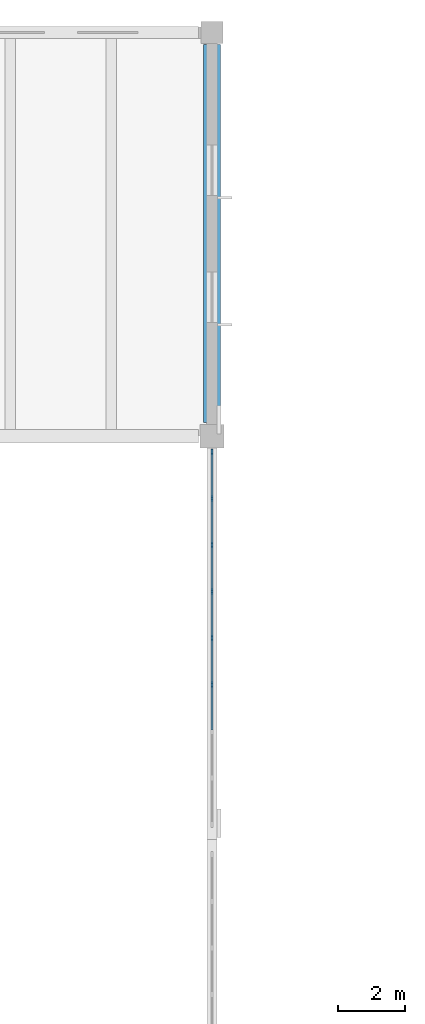
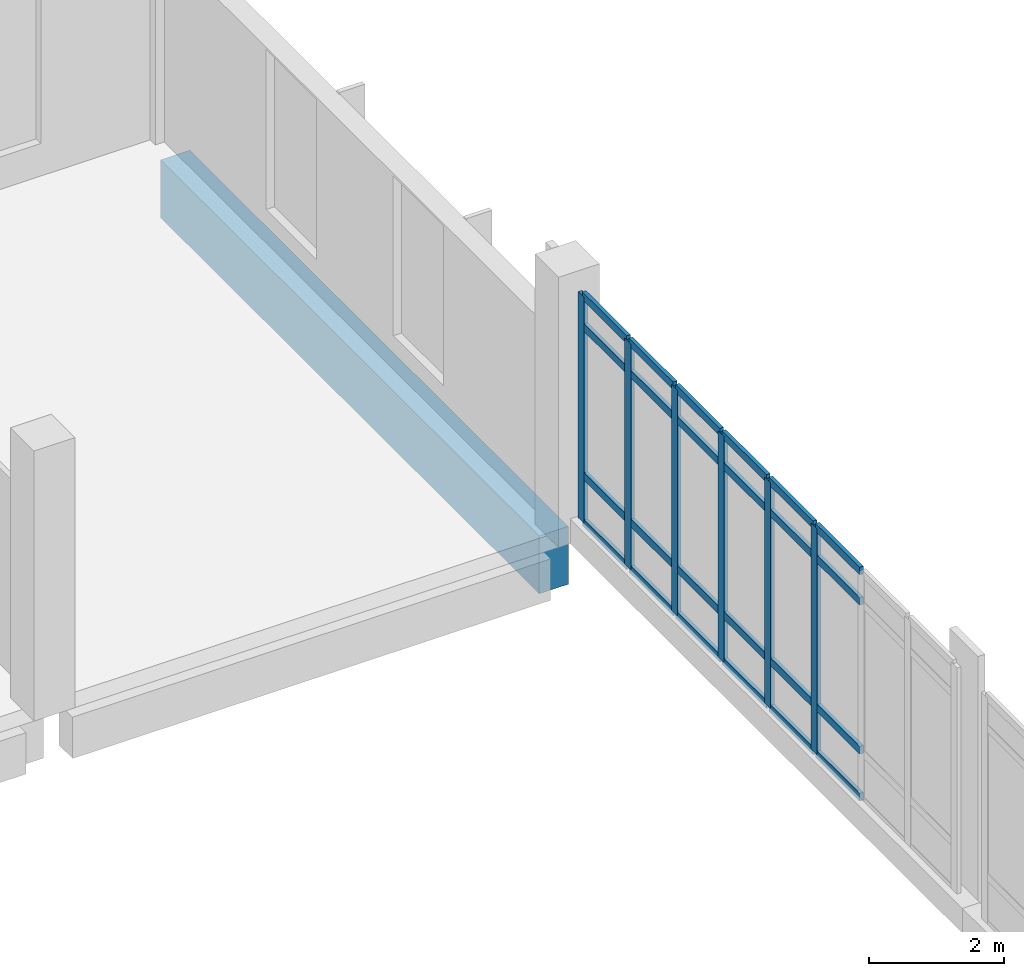
# One storey, part 54 of 110: 30 members, 1 beam, 1 element without a shape of its own.
"""IFC4 building model written with IfcOpenShell, lengths in metres."""

from ifc_helpers import new_model, si_unit, direction, frame, origin, origin_2d, place, context, subcontext, project, spatial, rectangle, extrude, material, layer, layer_set, material_profile, profile_set, type_object, element, aggregate, save


model = new_model("IFC4")

# Units and contexts
model_context = context("Model", 3, precision=1e-05, world=origin(), true_north=direction((0.0, 1.0)))
body_context = subcontext(model_context, "Body", "Model", "MODEL_VIEW")
ifc_project = project(units=[si_unit("LENGTHUNIT", "METRE"), si_unit("AREAUNIT", "SQUARE_METRE"), si_unit("VOLUMEUNIT", "CUBIC_METRE"), si_unit("PLANEANGLEUNIT", "RADIAN"), si_unit("MASSUNIT", "GRAM", prefix="KILO")], contexts=[model_context])

# Site, building, storey
site_placement = place(None, origin())
site = spatial("IfcSite", under=ifc_project, at=site_placement, CompositionType="ELEMENT")
building_placement = place(site_placement, origin())
building = spatial("IfcBuilding", under=site, at=building_placement, Name="Zacnel Wholesale Market", CompositionType="ELEMENT")
storey_placement = place(building_placement, frame((0.0, 0.0, 6.300048828125)))
storey = spatial("IfcBuildingStorey", under=building, at=storey_placement, Name="L02", CompositionType="ELEMENT", Elevation=6.300048828125)

# Beam
ifc_material_1 = material(Name="Precast concrete C45/55", Category="concrete")
ifc_material_profile_1 = material_profile(ifc_material_1, rectangle(XDim=0.5, YDim=1.050048828125, at=origin_2d()), Name="PG 500x1050")
ifc_profile_set_1 = profile_set([ifc_material_profile_1], Name="Precast concrete C45/55")
beam_type = type_object("IfcBeamType", Name="BM-PG1050", PredefinedType="T_BEAM", material=ifc_profile_set_1)
beam_placement = place(storey_placement, frame((189.0, 132.39990234375, -0.804931640625), z_axis=(0.0, 1.0, 0.0), x_axis=(-1.0, 0.0, 0.0)))
element("IfcBeam", 1, at=beam_placement, inside=storey, type_object=beam_type, Name="Precast girder Y-0523", PredefinedType="T_BEAM", context=body_context, shape_type="SweptSolid", body=[
    extrude(rectangle(XDim=0.5, YDim=1.050048828125, at=origin_2d()), origin(), (0.0, 0.0, 1.0), 11.25),
])

# Curtain wall, members
ifc_material_2 = material(Name="Anodised aluminium", Category="aluminium")
ifc_layer = layer(ifc_material_2, 0.159912109375)
ifc_layer_set = layer_set([ifc_layer], Name="Anodised aluminium")
curtain_wall_type = type_object("IfcCurtainWallType", Name="CW-NAVE-4200", PredefinedType="NOTDEFINED", material=ifc_layer_set)
curtain_wall_placement = place(storey_placement, origin())
curtain_wall = element("IfcCurtainWall", 2, at=curtain_wall_placement, inside=storey, type_object=curtain_wall_type, Name="Curtain wall ENV-R2-CW-L02-034", PredefinedType="NOTDEFINED")
ifc_material_3 = material(Name="Anodised aluminium", Category="aluminium")
ifc_material_profile_2 = material_profile(ifc_material_3, rectangle(XDim=0.06494140625, YDim=0.179931640625, at=origin_2d()), Name="AW-MULLION 65x180")
ifc_profile_set_2 = profile_set([ifc_material_profile_2], Name="Anodised aluminium")
member_type_1 = type_object("IfcMemberType", Name="CWM-MUL-03", PredefinedType="MULLION", material=ifc_profile_set_2)
member_1_placement = place(storey_placement, frame((189.0, 124.60498046875, 0.449951171875), z_axis=(0.0, 0.0, 1.0), x_axis=(1.0, 0.0, 0.0)))
member_1 = element("IfcMember", 3, at=member_1_placement, type_object=member_type_1, Name="ENV-R2-CW-L02-034 mullion 04", PredefinedType="MULLION", context=body_context, shape_type="SweptSolid", body=[
    extrude(rectangle(XDim=0.06494140625, YDim=0.179931640625, at=origin_2d()), origin(), (0.0, 0.0, 1.0), 4.10009765625),
])
member_2_placement = place(storey_placement, frame((189.0, 125.989990234375, 0.449951171875), z_axis=(0.0, 0.0, 1.0), x_axis=(1.0, 0.0, 0.0)))
member_2 = element("IfcMember", 4, at=member_2_placement, type_object=member_type_1, Name="ENV-R2-CW-L02-034 mullion 05", PredefinedType="MULLION", context=body_context, shape_type="SweptSolid", body=[
    extrude(rectangle(XDim=0.06494140625, YDim=0.179931640625, at=origin_2d()), origin(), (0.0, 0.0, 1.0), 4.10009765625),
])
member_3_placement = place(storey_placement, frame((189.0, 127.375, 0.449951171875), z_axis=(0.0, 0.0, 1.0), x_axis=(1.0, 0.0, 0.0)))
member_3 = element("IfcMember", 5, at=member_3_placement, type_object=member_type_1, Name="ENV-R2-CW-L02-034 mullion 06", PredefinedType="MULLION", context=body_context, shape_type="SweptSolid", body=[
    extrude(rectangle(XDim=0.06494140625, YDim=0.179931640625, at=origin_2d()), origin(), (0.0, 0.0, 1.0), 4.10009765625),
])
member_4_placement = place(storey_placement, frame((189.0, 128.760009765625, 0.449951171875), z_axis=(0.0, 0.0, 1.0), x_axis=(1.0, 0.0, 0.0)))
member_4 = element("IfcMember", 6, at=member_4_placement, type_object=member_type_1, Name="ENV-R2-CW-L02-034 mullion 07", PredefinedType="MULLION", context=body_context, shape_type="SweptSolid", body=[
    extrude(rectangle(XDim=0.06494140625, YDim=0.179931640625, at=origin_2d()), origin(), (0.0, 0.0, 1.0), 4.10009765625),
])
member_5_placement = place(storey_placement, frame((189.0, 130.14501953125, 0.449951171875), z_axis=(0.0, 0.0, 1.0), x_axis=(1.0, 0.0, 0.0)))
member_5 = element("IfcMember", 7, at=member_5_placement, type_object=member_type_1, Name="ENV-R2-CW-L02-034 mullion 08", PredefinedType="MULLION", context=body_context, shape_type="SweptSolid", body=[
    extrude(rectangle(XDim=0.06494140625, YDim=0.179931640625, at=origin_2d()), origin(), (0.0, 0.0, 1.0), 4.10009765625),
])
member_6_placement = place(storey_placement, frame((189.0, 131.530029296875, 0.449951171875), z_axis=(0.0, 0.0, 1.0), x_axis=(1.0, 0.0, 0.0)))
member_6 = element("IfcMember", 8, at=member_6_placement, type_object=member_type_1, Name="ENV-R2-CW-L02-034 mullion 09", PredefinedType="MULLION", context=body_context, shape_type="SweptSolid", body=[
    extrude(rectangle(XDim=0.06494140625, YDim=0.179931640625, at=origin_2d()), origin(), (0.0, 0.0, 1.0), 4.10009765625),
])
ifc_material_4 = material(Name="Anodised aluminium", Category="aluminium")
ifc_material_profile_3 = material_profile(ifc_material_4, rectangle(XDim=0.06494140625, YDim=0.139892578125, at=origin_2d()), Name="AW-TRANSOM 65x140")
ifc_profile_set_3 = profile_set([ifc_material_profile_3], Name="Anodised aluminium")
member_type_2 = type_object("IfcMemberType", Name="CWM-TRN-03", PredefinedType="USERDEFINED", material=ifc_profile_set_3)
member_7_placement = place(storey_placement, frame((189.0, 123.2548828125, 0.449951171875), z_axis=(0.0, 1.0, 0.0), x_axis=(-1.0, 0.0, 0.0)))
member_7 = element("IfcMember", 9, at=member_7_placement, type_object=member_type_2, Name="ENV-R2-CW-L02-034 transom 3-1", ObjectType="TRANSOM", PredefinedType="USERDEFINED", context=body_context, shape_type="SweptSolid", body=[
    extrude(rectangle(XDim=0.06494140625, YDim=0.139892578125, at=origin_2d()), origin(), (0.0, 0.0, 1.0), 1.315185546875),
])
member_8_placement = place(storey_placement, frame((189.0, 123.2548828125, 1.300048828125), z_axis=(0.0, 1.0, 0.0), x_axis=(-1.0, 0.0, 0.0)))
member_8 = element("IfcMember", 10, at=member_8_placement, type_object=member_type_2, Name="ENV-R2-CW-L02-034 transom 3-2", ObjectType="TRANSOM", PredefinedType="USERDEFINED", context=body_context, shape_type="SweptSolid", body=[
    extrude(rectangle(XDim=0.06494140625, YDim=0.139892578125, at=origin_2d()), origin(), (0.0, 0.0, 1.0), 1.315185546875),
])
member_9_placement = place(storey_placement, frame((189.0, 123.2548828125, 4.0), z_axis=(0.0, 1.0, 0.0), x_axis=(-1.0, 0.0, 0.0)))
member_9 = element("IfcMember", 11, at=member_9_placement, type_object=member_type_2, Name="ENV-R2-CW-L02-034 transom 3-3", ObjectType="TRANSOM", PredefinedType="USERDEFINED", context=body_context, shape_type="SweptSolid", body=[
    extrude(rectangle(XDim=0.06494140625, YDim=0.139892578125, at=origin_2d()), origin(), (0.0, 0.0, 1.0), 1.315185546875),
])
member_10_placement = place(storey_placement, frame((189.0, 123.2548828125, 4.550048828125), z_axis=(0.0, 1.0, 0.0), x_axis=(-1.0, 0.0, 0.0)))
member_10 = element("IfcMember", 12, at=member_10_placement, type_object=member_type_2, Name="ENV-R2-CW-L02-034 transom 3-4", ObjectType="TRANSOM", PredefinedType="USERDEFINED", context=body_context, shape_type="SweptSolid", body=[
    extrude(rectangle(XDim=0.06494140625, YDim=0.139892578125, at=origin_2d()), origin(), (0.0, 0.0, 1.0), 1.315185546875),
])
member_11_placement = place(storey_placement, frame((189.0, 124.639892578125, 0.449951171875), z_axis=(0.0, 1.0, 0.0), x_axis=(-1.0, 0.0, 0.0)))
member_11 = element("IfcMember", 13, at=member_11_placement, type_object=member_type_2, Name="ENV-R2-CW-L02-034 transom 4-1", ObjectType="TRANSOM", PredefinedType="USERDEFINED", context=body_context, shape_type="SweptSolid", body=[
    extrude(rectangle(XDim=0.06494140625, YDim=0.139892578125, at=origin_2d()), origin(), (0.0, 0.0, 1.0), 1.315185546875),
])
member_12_placement = place(storey_placement, frame((189.0, 124.639892578125, 1.300048828125), z_axis=(0.0, 1.0, 0.0), x_axis=(-1.0, 0.0, 0.0)))
member_12 = element("IfcMember", 14, at=member_12_placement, type_object=member_type_2, Name="ENV-R2-CW-L02-034 transom 4-2", ObjectType="TRANSOM", PredefinedType="USERDEFINED", context=body_context, shape_type="SweptSolid", body=[
    extrude(rectangle(XDim=0.06494140625, YDim=0.139892578125, at=origin_2d()), origin(), (0.0, 0.0, 1.0), 1.315185546875),
])
member_13_placement = place(storey_placement, frame((189.0, 124.639892578125, 4.0), z_axis=(0.0, 1.0, 0.0), x_axis=(-1.0, 0.0, 0.0)))
member_13 = element("IfcMember", 15, at=member_13_placement, type_object=member_type_2, Name="ENV-R2-CW-L02-034 transom 4-3", ObjectType="TRANSOM", PredefinedType="USERDEFINED", context=body_context, shape_type="SweptSolid", body=[
    extrude(rectangle(XDim=0.06494140625, YDim=0.139892578125, at=origin_2d()), origin(), (0.0, 0.0, 1.0), 1.315185546875),
])
member_14_placement = place(storey_placement, frame((189.0, 124.639892578125, 4.550048828125), z_axis=(0.0, 1.0, 0.0), x_axis=(-1.0, 0.0, 0.0)))
member_14 = element("IfcMember", 16, at=member_14_placement, type_object=member_type_2, Name="ENV-R2-CW-L02-034 transom 4-4", ObjectType="TRANSOM", PredefinedType="USERDEFINED", context=body_context, shape_type="SweptSolid", body=[
    extrude(rectangle(XDim=0.06494140625, YDim=0.139892578125, at=origin_2d()), origin(), (0.0, 0.0, 1.0), 1.315185546875),
])
member_15_placement = place(storey_placement, frame((189.0, 126.02490234375, 0.449951171875), z_axis=(0.0, 1.0, 0.0), x_axis=(-1.0, 0.0, 0.0)))
member_15 = element("IfcMember", 17, at=member_15_placement, type_object=member_type_2, Name="ENV-R2-CW-L02-034 transom 5-1", ObjectType="TRANSOM", PredefinedType="USERDEFINED", context=body_context, shape_type="SweptSolid", body=[
    extrude(rectangle(XDim=0.06494140625, YDim=0.139892578125, at=origin_2d()), origin(), (0.0, 0.0, 1.0), 1.315185546875),
])
member_16_placement = place(storey_placement, frame((189.0, 126.02490234375, 1.300048828125), z_axis=(0.0, 1.0, 0.0), x_axis=(-1.0, 0.0, 0.0)))
member_16 = element("IfcMember", 18, at=member_16_placement, type_object=member_type_2, Name="ENV-R2-CW-L02-034 transom 5-2", ObjectType="TRANSOM", PredefinedType="USERDEFINED", context=body_context, shape_type="SweptSolid", body=[
    extrude(rectangle(XDim=0.06494140625, YDim=0.139892578125, at=origin_2d()), origin(), (0.0, 0.0, 1.0), 1.315185546875),
])
member_17_placement = place(storey_placement, frame((189.0, 126.02490234375, 4.0), z_axis=(0.0, 1.0, 0.0), x_axis=(-1.0, 0.0, 0.0)))
member_17 = element("IfcMember", 19, at=member_17_placement, type_object=member_type_2, Name="ENV-R2-CW-L02-034 transom 5-3", ObjectType="TRANSOM", PredefinedType="USERDEFINED", context=body_context, shape_type="SweptSolid", body=[
    extrude(rectangle(XDim=0.06494140625, YDim=0.139892578125, at=origin_2d()), origin(), (0.0, 0.0, 1.0), 1.315185546875),
])
member_18_placement = place(storey_placement, frame((189.0, 126.02490234375, 4.550048828125), z_axis=(0.0, 1.0, 0.0), x_axis=(-1.0, 0.0, 0.0)))
member_18 = element("IfcMember", 20, at=member_18_placement, type_object=member_type_2, Name="ENV-R2-CW-L02-034 transom 5-4", ObjectType="TRANSOM", PredefinedType="USERDEFINED", context=body_context, shape_type="SweptSolid", body=[
    extrude(rectangle(XDim=0.06494140625, YDim=0.139892578125, at=origin_2d()), origin(), (0.0, 0.0, 1.0), 1.315185546875),
])
member_19_placement = place(storey_placement, frame((189.0, 127.409912109375, 0.449951171875), z_axis=(0.0, 1.0, 0.0), x_axis=(-1.0, 0.0, 0.0)))
member_19 = element("IfcMember", 21, at=member_19_placement, type_object=member_type_2, Name="ENV-R2-CW-L02-034 transom 6-1", ObjectType="TRANSOM", PredefinedType="USERDEFINED", context=body_context, shape_type="SweptSolid", body=[
    extrude(rectangle(XDim=0.06494140625, YDim=0.139892578125, at=origin_2d()), origin(), (0.0, 0.0, 1.0), 1.315185546875),
])
member_20_placement = place(storey_placement, frame((189.0, 127.409912109375, 1.300048828125), z_axis=(0.0, 1.0, 0.0), x_axis=(-1.0, 0.0, 0.0)))
member_20 = element("IfcMember", 22, at=member_20_placement, type_object=member_type_2, Name="ENV-R2-CW-L02-034 transom 6-2", ObjectType="TRANSOM", PredefinedType="USERDEFINED", context=body_context, shape_type="SweptSolid", body=[
    extrude(rectangle(XDim=0.06494140625, YDim=0.139892578125, at=origin_2d()), origin(), (0.0, 0.0, 1.0), 1.315185546875),
])
member_21_placement = place(storey_placement, frame((189.0, 127.409912109375, 4.0), z_axis=(0.0, 1.0, 0.0), x_axis=(-1.0, 0.0, 0.0)))
member_21 = element("IfcMember", 23, at=member_21_placement, type_object=member_type_2, Name="ENV-R2-CW-L02-034 transom 6-3", ObjectType="TRANSOM", PredefinedType="USERDEFINED", context=body_context, shape_type="SweptSolid", body=[
    extrude(rectangle(XDim=0.06494140625, YDim=0.139892578125, at=origin_2d()), origin(), (0.0, 0.0, 1.0), 1.315185546875),
])
member_22_placement = place(storey_placement, frame((189.0, 127.409912109375, 4.550048828125), z_axis=(0.0, 1.0, 0.0), x_axis=(-1.0, 0.0, 0.0)))
member_22 = element("IfcMember", 24, at=member_22_placement, type_object=member_type_2, Name="ENV-R2-CW-L02-034 transom 6-4", ObjectType="TRANSOM", PredefinedType="USERDEFINED", context=body_context, shape_type="SweptSolid", body=[
    extrude(rectangle(XDim=0.06494140625, YDim=0.139892578125, at=origin_2d()), origin(), (0.0, 0.0, 1.0), 1.315185546875),
])
member_23_placement = place(storey_placement, frame((189.0, 128.794921875, 0.449951171875), z_axis=(0.0, 1.0, 0.0), x_axis=(-1.0, 0.0, 0.0)))
member_23 = element("IfcMember", 25, at=member_23_placement, type_object=member_type_2, Name="ENV-R2-CW-L02-034 transom 7-1", ObjectType="TRANSOM", PredefinedType="USERDEFINED", context=body_context, shape_type="SweptSolid", body=[
    extrude(rectangle(XDim=0.06494140625, YDim=0.139892578125, at=origin_2d()), origin(), (0.0, 0.0, 1.0), 1.315185546875),
])
member_24_placement = place(storey_placement, frame((189.0, 128.794921875, 1.300048828125), z_axis=(0.0, 1.0, 0.0), x_axis=(-1.0, 0.0, 0.0)))
member_24 = element("IfcMember", 26, at=member_24_placement, type_object=member_type_2, Name="ENV-R2-CW-L02-034 transom 7-2", ObjectType="TRANSOM", PredefinedType="USERDEFINED", context=body_context, shape_type="SweptSolid", body=[
    extrude(rectangle(XDim=0.06494140625, YDim=0.139892578125, at=origin_2d()), origin(), (0.0, 0.0, 1.0), 1.315185546875),
])
member_25_placement = place(storey_placement, frame((189.0, 128.794921875, 4.0), z_axis=(0.0, 1.0, 0.0), x_axis=(-1.0, 0.0, 0.0)))
member_25 = element("IfcMember", 27, at=member_25_placement, type_object=member_type_2, Name="ENV-R2-CW-L02-034 transom 7-3", ObjectType="TRANSOM", PredefinedType="USERDEFINED", context=body_context, shape_type="SweptSolid", body=[
    extrude(rectangle(XDim=0.06494140625, YDim=0.139892578125, at=origin_2d()), origin(), (0.0, 0.0, 1.0), 1.315185546875),
])
member_26_placement = place(storey_placement, frame((189.0, 128.794921875, 4.550048828125), z_axis=(0.0, 1.0, 0.0), x_axis=(-1.0, 0.0, 0.0)))
member_26 = element("IfcMember", 28, at=member_26_placement, type_object=member_type_2, Name="ENV-R2-CW-L02-034 transom 7-4", ObjectType="TRANSOM", PredefinedType="USERDEFINED", context=body_context, shape_type="SweptSolid", body=[
    extrude(rectangle(XDim=0.06494140625, YDim=0.139892578125, at=origin_2d()), origin(), (0.0, 0.0, 1.0), 1.315185546875),
])
member_27_placement = place(storey_placement, frame((189.0, 130.179931640625, 0.449951171875), z_axis=(0.0, 1.0, 0.0), x_axis=(-1.0, 0.0, 0.0)))
member_27 = element("IfcMember", 29, at=member_27_placement, type_object=member_type_2, Name="ENV-R2-CW-L02-034 transom 8-1", ObjectType="TRANSOM", PredefinedType="USERDEFINED", context=body_context, shape_type="SweptSolid", body=[
    extrude(rectangle(XDim=0.06494140625, YDim=0.139892578125, at=origin_2d()), origin(), (0.0, 0.0, 1.0), 1.315185546875),
])
member_28_placement = place(storey_placement, frame((189.0, 130.179931640625, 1.300048828125), z_axis=(0.0, 1.0, 0.0), x_axis=(-1.0, 0.0, 0.0)))
member_28 = element("IfcMember", 30, at=member_28_placement, type_object=member_type_2, Name="ENV-R2-CW-L02-034 transom 8-2", ObjectType="TRANSOM", PredefinedType="USERDEFINED", context=body_context, shape_type="SweptSolid", body=[
    extrude(rectangle(XDim=0.06494140625, YDim=0.139892578125, at=origin_2d()), origin(), (0.0, 0.0, 1.0), 1.315185546875),
])
member_29_placement = place(storey_placement, frame((189.0, 130.179931640625, 4.0), z_axis=(0.0, 1.0, 0.0), x_axis=(-1.0, 0.0, 0.0)))
member_29 = element("IfcMember", 31, at=member_29_placement, type_object=member_type_2, Name="ENV-R2-CW-L02-034 transom 8-3", ObjectType="TRANSOM", PredefinedType="USERDEFINED", context=body_context, shape_type="SweptSolid", body=[
    extrude(rectangle(XDim=0.06494140625, YDim=0.139892578125, at=origin_2d()), origin(), (0.0, 0.0, 1.0), 1.315185546875),
])
member_30_placement = place(storey_placement, frame((189.0, 130.179931640625, 4.550048828125), z_axis=(0.0, 1.0, 0.0), x_axis=(-1.0, 0.0, 0.0)))
member_30 = element("IfcMember", 32, at=member_30_placement, type_object=member_type_2, Name="ENV-R2-CW-L02-034 transom 8-4", ObjectType="TRANSOM", PredefinedType="USERDEFINED", context=body_context, shape_type="SweptSolid", body=[
    extrude(rectangle(XDim=0.06494140625, YDim=0.139892578125, at=origin_2d()), origin(), (0.0, 0.0, 1.0), 1.315185546875),
])
aggregate(curtain_wall, [member_1, member_2, member_3, member_4, member_5, member_6, member_7, member_8, member_9, member_10, member_11, member_12, member_13, member_14, member_15, member_16, member_17, member_18, member_19, member_20, member_21, member_22, member_23, member_24, member_25, member_26, member_27, member_28, member_29, member_30])

save(model, "model.ifc")
